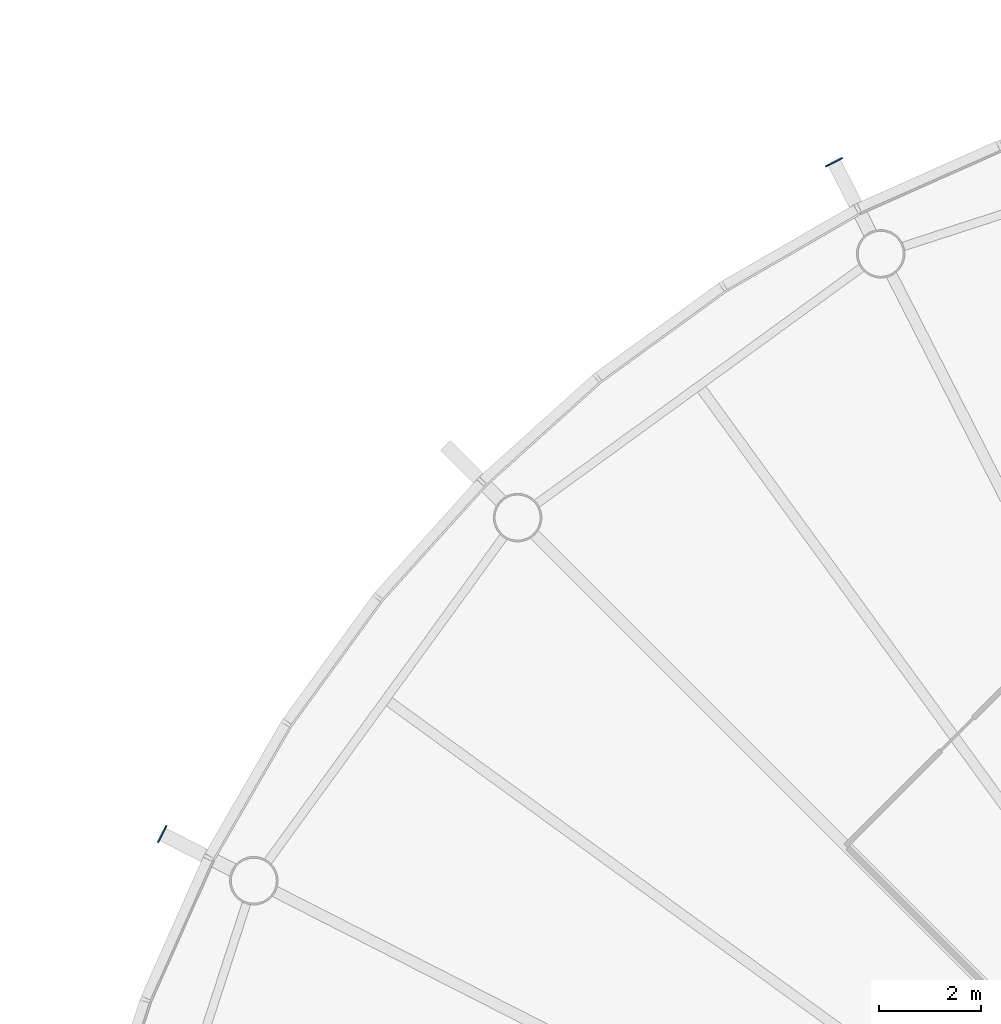
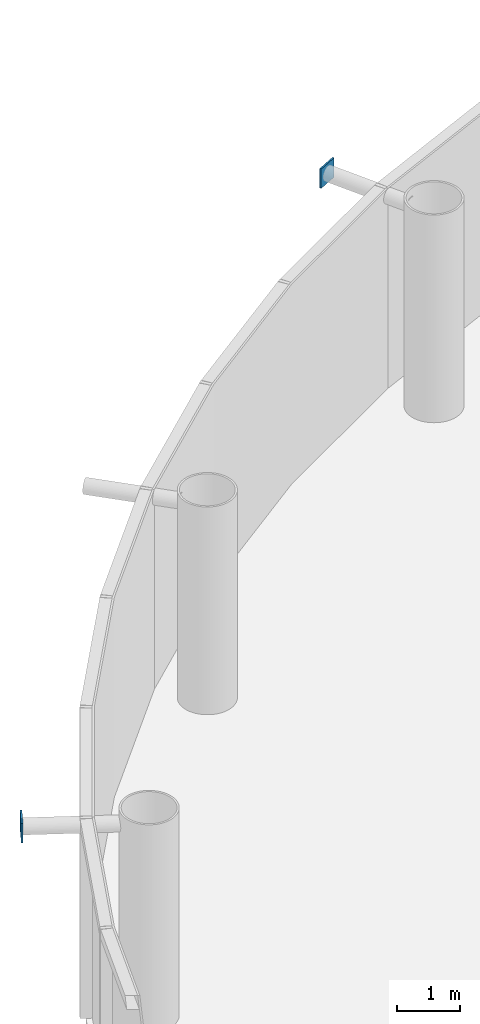
# One storey, part 9 of 17: 2 discrete accessories.
"""IFC4 building model written with IfcOpenShell, lengths in metres."""

from ifc_helpers import new_model, si_unit, direction, frame, origin, origin_2d, place, context, subcontext, project, spatial, rectangle, extrude, material, element, save


model = new_model("IFC4")

# Units and contexts
model_context = context("Model", 3, precision=1e-05, world=origin(), true_north=direction((0.0, 1.0)))
body_context = subcontext(model_context, "Body", "Model", "MODEL_VIEW")
ifc_project = project(units=[si_unit("LENGTHUNIT", "METRE"), si_unit("AREAUNIT", "SQUARE_METRE"), si_unit("VOLUMEUNIT", "CUBIC_METRE"), si_unit("PLANEANGLEUNIT", "RADIAN"), si_unit("MASSUNIT", "GRAM", prefix="KILO")], contexts=[model_context])

# Site, building, storey
site_placement = place(None, origin())
site = spatial("IfcSite", under=ifc_project, at=site_placement, CompositionType="ELEMENT")
building_placement = place(site_placement, origin())
building = spatial("IfcBuilding", under=site, at=building_placement, Name="Entoto Ring Tower", CompositionType="ELEMENT")
storey_placement = place(building_placement, frame((0.0, 0.0, 306.0)))
storey = spatial("IfcBuildingStorey", under=building, at=storey_placement, Name="L70", CompositionType="ELEMENT", Elevation=306.0)

# Discrete accessories
ifc_material = material(Name="Steel S355", Category="steel")
for number, where, z_axis, x_axis, name in (
    (1, (76.328125, 106.832763671875, 3.52685546875), (0.0, 0.0, 1.0), (-0.45399049974, 0.891006524188, 0.0), "Node strut end plate DS2 ring 23 06"),
    (2, (63.167236328125, 93.671875, 3.52685546875), (0.0, 0.0, 1.0), (-0.891006524188, 0.45399049974, 0.0), "Node strut end plate DS2 ring 23 08"),
):
    element("IfcDiscreteAccessory", number, at=place(storey_placement, frame(where, z_axis=z_axis, x_axis=x_axis)), inside=storey, material=ifc_material, Name=name, PredefinedType="BRACKET", context=body_context, shape_type="SweptSolid", body=[
        extrude(rectangle(XDim=0.030029296875, YDim=0.373046875, at=origin_2d()), origin(), (0.0, 0.0, 1.0), 0.373046875),
    ])

save(model, "model.ifc")
